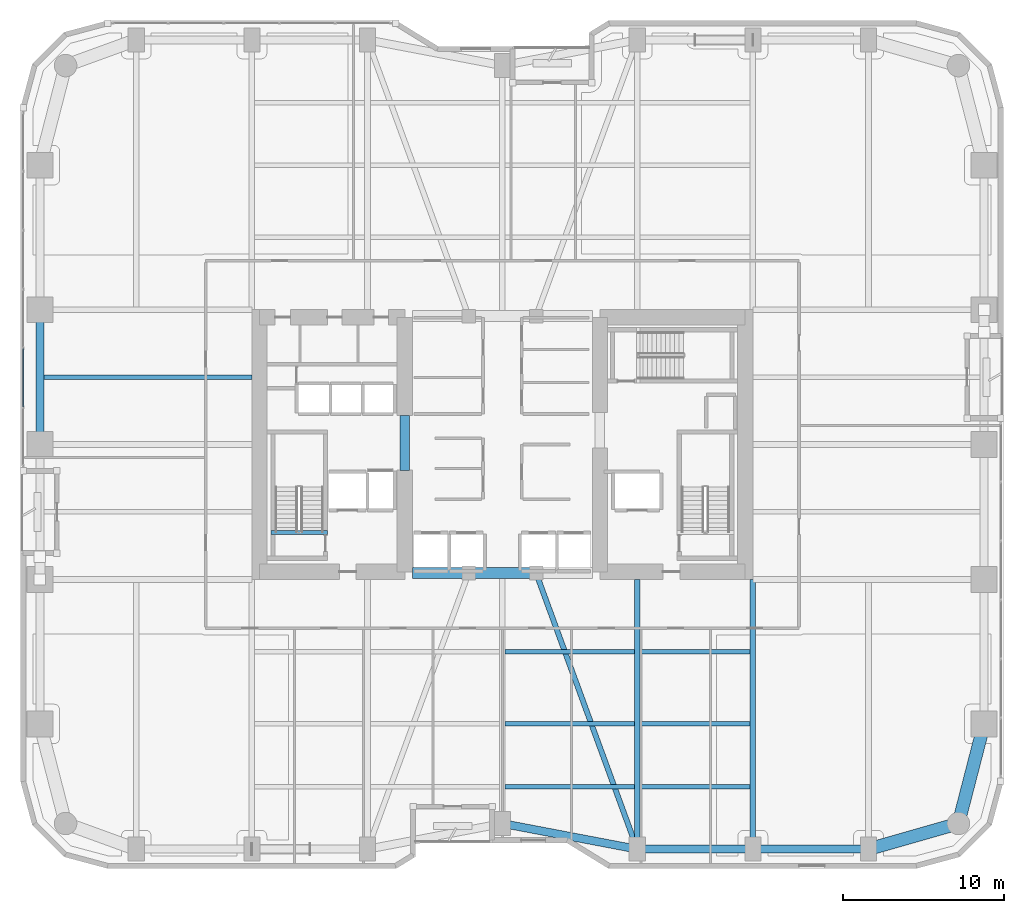
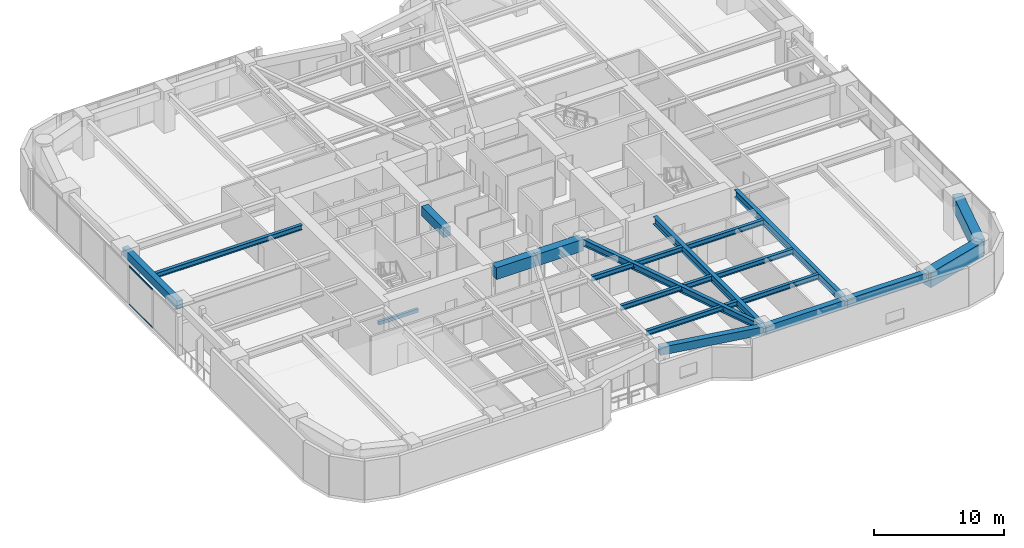
# One storey, part 3 of 28: 20 beams, 2 members, 1 element without a shape of its own.
"""IFC4 building model written with IfcOpenShell, lengths in metres."""

from ifc_helpers import new_model, si_unit, direction, frame, origin, origin_2d, place, context, subcontext, project, spatial, rectangle, hollow_rectangle, i_section, extrude, material, layer, layer_set, material_profile, profile_set, type_object, element, aggregate, save


model = new_model("IFC4")

# Units and contexts
model_context = context("Model", 3, precision=1e-05, world=origin(), true_north=direction((0.0, 1.0)))
body_context = subcontext(model_context, "Body", "Model", "MODEL_VIEW")
ifc_project = project(units=[si_unit("LENGTHUNIT", "METRE"), si_unit("AREAUNIT", "SQUARE_METRE"), si_unit("VOLUMEUNIT", "CUBIC_METRE"), si_unit("PLANEANGLEUNIT", "RADIAN"), si_unit("MASSUNIT", "GRAM", prefix="KILO")], contexts=[model_context])

# Site, building, storey
site_placement = place(None, origin())
site = spatial("IfcSite", under=ifc_project, at=site_placement, CompositionType="ELEMENT")
building_placement = place(site_placement, origin())
building = spatial("IfcBuilding", under=site, at=building_placement, Name="Kiyonajd Concourse Tower", CompositionType="ELEMENT")
storey_placement = place(building_placement, frame((0.0, 0.0, 56.699951171875)))
storey = spatial("IfcBuildingStorey", under=building, at=storey_placement, Name="L15", CompositionType="ELEMENT", Elevation=56.699951171875)

# Beams
ifc_material_1 = material(Name="Concrete C70/85", Category="concrete")
ifc_material_profile_1 = material_profile(ifc_material_1, rectangle(XDim=0.699951171875, YDim=1.10009765625, at=origin_2d()), Name="RCBM-700x1100")
ifc_profile_set_1 = profile_set([ifc_material_profile_1], Name="Concrete C70/85")
beam_type_1 = type_object("IfcBeamType", Name="BM-COUP-1100", PredefinedType="LINTEL", material=ifc_profile_set_1)
beam_1_placement = place(storey_placement, frame((42.39990234375, 28.0, 3.090087890625), z_axis=(1.0, 0.0, 0.0), x_axis=(0.0, 1.0, 0.0)))
element("IfcBeam", 1, at=beam_1_placement, inside=storey, type_object=beam_type_1, Name="L15 Core Coupling Beam S1", PredefinedType="LINTEL", context=body_context, shape_type="SweptSolid", body=[
    extrude(rectangle(XDim=0.699951171875, YDim=1.10009765625, at=origin_2d()), origin(), (0.0, 0.0, 1.0), 3.5),
])
beam_2_placement = place(storey_placement, frame((45.89990234375, 28.0, 3.090087890625), z_axis=(1.0, 0.0, 0.0), x_axis=(0.0, 1.0, 0.0)))
element("IfcBeam", 2, at=beam_2_placement, inside=storey, type_object=beam_type_1, Name="L15 Core Coupling Beam S2", PredefinedType="LINTEL", context=body_context, shape_type="SweptSolid", body=[
    extrude(rectangle(XDim=0.699951171875, YDim=1.10009765625, at=origin_2d()), origin(), (0.0, 0.0, 1.0), 4.2001953125),
])
ifc_material_2 = material(Name="Concrete C60/75", Category="concrete")
ifc_material_profile_2 = material_profile(ifc_material_2, rectangle(XDim=0.60009765625, YDim=0.89990234375, at=origin_2d()), Name="RCBM-600x900")
ifc_profile_set_2 = profile_set([ifc_material_profile_2], Name="Concrete C60/75")
beam_type_2 = type_object("IfcBeamType", Name="BM-COUP-900", PredefinedType="LINTEL", material=ifc_profile_set_2)
beam_3_placement = place(storey_placement, frame((41.925048828125, 34.39990234375, 3.090087890625), z_axis=(0.0, 1.0, 0.0), x_axis=(-1.0, 0.0, 0.0)))
element("IfcBeam", 3, at=beam_3_placement, inside=storey, type_object=beam_type_2, Name="L15 West Core Throat Coupling Lintel", PredefinedType="LINTEL", context=body_context, shape_type="SweptSolid", body=[
    extrude(rectangle(XDim=0.60009765625, YDim=0.89990234375, at=origin_2d()), origin(), (0.0, 0.0, 1.0), 3.400146484375),
])
ifc_material_3 = material(Name="Steel ASTM A992 Grade 50", Category="steel")
ifc_material_profile_3 = material_profile(ifc_material_3, i_section(OverallWidth=0.280029296875, OverallDepth=0.462890625, WebThickness=0.0107421875, FlangeThickness=0.017333984375, at=origin_2d()), Name="W460X113")
ifc_profile_set_3 = profile_set([ifc_material_profile_3], Name="Steel ASTM A992 Grade 50")
beam_type_3 = type_object("IfcBeamType", Name="BM-JST-460A", PredefinedType="JOIST", material=ifc_profile_set_3)
beam_4_placement = place(storey_placement, frame((48.177490234375, 14.699951171875, 3.408447265625), z_axis=(1.0, 0.0, 0.0), x_axis=(0.0, 1.0, 0.0)))
element("IfcBeam", 4, at=beam_4_placement, inside=storey, type_object=beam_type_3, Name="L15 Secondary Floor Joist", PredefinedType="JOIST", context=body_context, shape_type="SweptSolid", body=[
    extrude(i_section(OverallWidth=0.280029296875, OverallDepth=0.462890625, WebThickness=0.0107421875, FlangeThickness=0.017333984375, at=origin_2d()), origin(), (0.0, 0.0, 1.0), 8.044921875),
])
beam_5_placement = place(storey_placement, frame((56.577392578125, 14.699951171875, 3.408447265625), z_axis=(1.0, 0.0, 0.0), x_axis=(0.0, 1.0, 0.0)))
element("IfcBeam", 5, at=beam_5_placement, inside=storey, type_object=beam_type_3, Name="L15 Secondary Floor Joist", PredefinedType="JOIST", context=body_context, shape_type="SweptSolid", body=[
    extrude(i_section(OverallWidth=0.280029296875, OverallDepth=0.462890625, WebThickness=0.0107421875, FlangeThickness=0.017333984375, at=origin_2d()), origin(), (0.0, 0.0, 1.0), 6.84521484375),
])
beam_6_placement = place(storey_placement, frame((48.177490234375, 18.60009765625, 3.408447265625), z_axis=(1.0, 0.0, 0.0), x_axis=(0.0, 1.0, 0.0)))
element("IfcBeam", 6, at=beam_6_placement, inside=storey, type_object=beam_type_3, Name="L15 Secondary Floor Joist", PredefinedType="JOIST", context=body_context, shape_type="SweptSolid", body=[
    extrude(i_section(OverallWidth=0.280029296875, OverallDepth=0.462890625, WebThickness=0.0107421875, FlangeThickness=0.017333984375, at=origin_2d()), origin(), (0.0, 0.0, 1.0), 8.044921875),
])
beam_7_placement = place(storey_placement, frame((56.577392578125, 18.60009765625, 3.408447265625), z_axis=(1.0, 0.0, 0.0), x_axis=(0.0, 1.0, 0.0)))
element("IfcBeam", 7, at=beam_7_placement, inside=storey, type_object=beam_type_3, Name="L15 Secondary Floor Joist", PredefinedType="JOIST", context=body_context, shape_type="SweptSolid", body=[
    extrude(i_section(OverallWidth=0.280029296875, OverallDepth=0.462890625, WebThickness=0.0107421875, FlangeThickness=0.017333984375, at=origin_2d()), origin(), (0.0, 0.0, 1.0), 6.84521484375),
])
beam_8_placement = place(storey_placement, frame((48.177490234375, 23.10009765625, 3.408447265625), z_axis=(1.0, 0.0, 0.0), x_axis=(0.0, 1.0, 0.0)))
element("IfcBeam", 8, at=beam_8_placement, inside=storey, type_object=beam_type_3, Name="L15 Secondary Floor Joist", PredefinedType="JOIST", context=body_context, shape_type="SweptSolid", body=[
    extrude(i_section(OverallWidth=0.280029296875, OverallDepth=0.462890625, WebThickness=0.0107421875, FlangeThickness=0.017333984375, at=origin_2d()), origin(), (0.0, 0.0, 1.0), 8.044921875),
])
beam_9_placement = place(storey_placement, frame((56.577392578125, 23.10009765625, 3.408447265625), z_axis=(1.0, 0.0, 0.0), x_axis=(0.0, 1.0, 0.0)))
element("IfcBeam", 9, at=beam_9_placement, inside=storey, type_object=beam_type_3, Name="L15 Secondary Floor Joist", PredefinedType="JOIST", context=body_context, shape_type="SweptSolid", body=[
    extrude(i_section(OverallWidth=0.280029296875, OverallDepth=0.462890625, WebThickness=0.0107421875, FlangeThickness=0.017333984375, at=origin_2d()), origin(), (0.0, 0.0, 1.0), 6.84521484375),
])
beam_10_placement = place(storey_placement, frame((19.449951171875, 40.199951171875, 3.408447265625), z_axis=(1.0, 0.0, 0.0), x_axis=(0.0, 1.0, 0.0)))
element("IfcBeam", 10, at=beam_10_placement, inside=storey, type_object=beam_type_3, Name="L15 West Secondary Floor Joist", PredefinedType="JOIST", context=body_context, shape_type="SweptSolid", body=[
    extrude(i_section(OverallWidth=0.280029296875, OverallDepth=0.462890625, WebThickness=0.0107421875, FlangeThickness=0.017333984375, at=origin_2d()), origin(), (0.0, 0.0, 1.0), 12.949951171875),
])
ifc_material_4 = material(Name="Concrete C50/60", Category="concrete")
ifc_material_profile_4 = material_profile(ifc_material_4, rectangle(XDim=0.239990234375, YDim=0.320068359375, at=origin_2d()), Name="RCBM-240x320")
ifc_profile_set_4 = profile_set([ifc_material_profile_4], Name="Concrete C50/60")
beam_type_4 = type_object("IfcBeamType", Name="BM-LNT-250", PredefinedType="LINTEL", material=ifc_profile_set_4)
beam_11_placement = place(storey_placement, frame((33.590087890625, 30.530029296875, -0.159912109375), z_axis=(1.0, 0.0, 0.0), x_axis=(0.0, 1.0, 0.0)))
element("IfcBeam", 11, at=beam_11_placement, inside=storey, type_object=beam_type_4, Name="L15 Stair ST1 Threshold Support Beam", PredefinedType="LINTEL", context=body_context, shape_type="SweptSolid", body=[
    extrude(rectangle(XDim=0.239990234375, YDim=0.320068359375, at=origin_2d()), origin(), (0.0, 0.0, 1.0), 3.52001953125),
])
ifc_material_5 = material(Name="Precast concrete C50/60", Category="concrete")
ifc_material_profile_5 = material_profile(ifc_material_5, rectangle(XDim=0.5, YDim=0.75, at=origin_2d()), Name="RCBM-500x750")
ifc_profile_set_5 = profile_set([ifc_material_profile_5], Name="Precast concrete C50/60")
beam_type_5 = type_object("IfcBeamType", Name="BM-SPAN-RC", PredefinedType="SPANDREL", material=ifc_profile_set_5)
beam_12_placement = place(storey_placement, frame((48.0, 12.39990234375, 3.26513671875), z_axis=(0.982341315253, -0.187097675953, 0.0), x_axis=(0.187097675953, 0.982341315253, 0.0)))
element("IfcBeam", 12, at=beam_12_placement, inside=storey, type_object=beam_type_5, Name="L15 Perimeter Bundled Tube Spandrel", PredefinedType="SPANDREL", context=body_context, shape_type="SweptSolid", body=[
    extrude(rectangle(XDim=0.5, YDim=0.75, at=origin_2d()), origin(), (0.0, 0.0, 1.0), 8.55078125),
])
beam_13_placement = place(storey_placement, frame((56.39990234375, 10.800048828125, 3.26513671875), z_axis=(1.0, 0.0, 0.0), x_axis=(0.0, 1.0, 0.0)))
element("IfcBeam", 13, at=beam_13_placement, inside=storey, type_object=beam_type_5, Name="L15 Perimeter Bundled Tube Spandrel", PredefinedType="SPANDREL", context=body_context, shape_type="SweptSolid", body=[
    extrude(rectangle(XDim=0.5, YDim=0.75, at=origin_2d()), origin(), (0.0, 0.0, 1.0), 7.2001953125),
])
beam_14_placement = place(storey_placement, frame((63.60009765625, 10.800048828125, 3.26513671875), z_axis=(1.0, 0.0, 0.0), x_axis=(0.0, 1.0, 0.0)))
element("IfcBeam", 14, at=beam_14_placement, inside=storey, type_object=beam_type_5, Name="L15 Perimeter Bundled Tube Spandrel", PredefinedType="SPANDREL", context=body_context, shape_type="SweptSolid", body=[
    extrude(rectangle(XDim=0.5, YDim=0.75, at=origin_2d()), origin(), (0.0, 0.0, 1.0), 7.199951171875),
])
beam_15_placement = place(storey_placement, frame((19.199951171875, 44.39990234375, 3.26513671875), z_axis=(0.0, -1.0, 0.0), x_axis=(1.0, 0.0, 0.0)))
element("IfcBeam", 15, at=beam_15_placement, inside=storey, type_object=beam_type_5, Name="L15 Perimeter Bundled Tube Spandrel", PredefinedType="SPANDREL", context=body_context, shape_type="SweptSolid", body=[
    extrude(rectangle(XDim=0.5, YDim=0.75, at=origin_2d()), origin(), (0.0, 0.0, 1.0), 8.39990234375),
])
ifc_material_profile_6 = material_profile(ifc_material_3, i_section(OverallWidth=0.326904296875, OverallDepth=0.6220703125, WebThickness=0.015380859375, FlangeThickness=0.0244140625, at=origin_2d()), Name="W610X195")
ifc_profile_set_6 = profile_set([ifc_material_profile_6], Name="Steel ASTM A992 Grade 50")
beam_type_6 = type_object("IfcBeamType", Name="BM-TWR-610A", PredefinedType="BEAM", material=ifc_profile_set_6)
beam_16_placement = place(storey_placement, frame((50.10009765625, 28.0, 3.3291015625), z_axis=(0.343925269715, -0.938997022813, 0.0), x_axis=(0.938997022813, 0.343925269715, 0.0)))
element("IfcBeam", 16, at=beam_16_placement, inside=storey, type_object=beam_type_6, Name="L15 Core Tie Girder", PredefinedType="BEAM", context=body_context, shape_type="SweptSolid", body=[
    extrude(i_section(OverallWidth=0.326904296875, OverallDepth=0.6220703125, WebThickness=0.015380859375, FlangeThickness=0.0244140625, at=origin_2d()), origin(), (0.0, 0.0, 1.0), 18.3173828125),
])
ifc_material_profile_7 = material_profile(ifc_material_3, i_section(OverallWidth=0.35498046875, OverallDepth=0.695068359375, WebThickness=0.015380859375, FlangeThickness=0.02490234375, at=origin_2d()), Name="W690X217")
ifc_profile_set_7 = profile_set([ifc_material_profile_7], Name="Steel ASTM A992 Grade 50")
beam_type_7 = type_object("IfcBeamType", Name="BM-TWR-690", PredefinedType="BEAM", material=ifc_profile_set_7)
for number, where, z_axis, x_axis, name in (
    (17, (56.39990234375, 10.800048828125, 3.29248046875), (0.0, 1.0, 0.0), (-1.0, 0.0, 0.0), "L15 South Lease Girder"),
    (18, (63.60009765625, 10.800048828125, 3.29248046875), (0.0, 1.0, 0.0), (-1.0, 0.0, 0.0), "L15 South Lease Girder"),
):
    element("IfcBeam", number, at=place(storey_placement, frame(where, z_axis=z_axis, x_axis=x_axis)), inside=storey, type_object=beam_type_7, Name=name, PredefinedType="BEAM", context=body_context, shape_type="SweptSolid", body=[
        extrude(i_section(OverallWidth=0.35498046875, OverallDepth=0.695068359375, WebThickness=0.015380859375, FlangeThickness=0.02490234375, at=origin_2d()), origin(), (0.0, 0.0, 1.0), 16.800048828125),
    ])
ifc_material_profile_8 = material_profile(ifc_material_2, rectangle(XDim=0.800048828125, YDim=1.39990234375, at=origin_2d()), Name="RCBM-800x1400")
ifc_profile_set_8 = profile_set([ifc_material_profile_8], Name="Concrete C60/75")
beam_type_8 = type_object("IfcBeamType", Name="BM-XFER-RC", PredefinedType="BEAM", material=ifc_profile_set_8)
beam_17_placement = place(storey_placement, frame((70.800048828125, 10.800048828125, 2.93994140625), z_axis=(0.961528693205, 0.274704517878, 0.0), x_axis=(-0.274704517878, 0.961528693205, 0.0)))
element("IfcBeam", 19, at=beam_17_placement, inside=storey, type_object=beam_type_8, Name="L15 Perimeter Bundled Tube Spandrel", PredefinedType="BEAM", context=body_context, shape_type="SweptSolid", body=[
    extrude(rectangle(XDim=0.800048828125, YDim=1.39990234375, at=origin_2d()), origin(), (0.0, 0.0, 1.0), 5.823974609375),
])
beam_18_placement = place(storey_placement, frame((76.39990234375, 12.39990234375, 2.93994140625), z_axis=(0.249884937687, 0.968275538221, 0.0), x_axis=(-0.968275538221, 0.249884937687, 0.0)))
element("IfcBeam", 20, at=beam_18_placement, inside=storey, type_object=beam_type_8, Name="L15 Perimeter Bundled Tube Spandrel", PredefinedType="BEAM", context=body_context, shape_type="SweptSolid", body=[
    extrude(rectangle(XDim=0.800048828125, YDim=1.39990234375, at=origin_2d()), origin(), (0.0, 0.0, 1.0), 6.4033203125),
])

# Curtain wall, members
ifc_material_6 = material(Name="Thermally Broken Anodised Aluminium", Category="aluminium")
ifc_layer = layer(ifc_material_6, 0.179931640625)
ifc_layer_set = layer_set([ifc_layer], Name="Thermally Broken Anodised Aluminium")
curtain_wall_type = type_object("IfcCurtainWallType", Name="CW-SYS-02", PredefinedType="NOTDEFINED", material=ifc_layer_set)
curtain_wall_placement = place(storey_placement, origin())
curtain_wall = element("IfcCurtainWall", 21, at=curtain_wall_placement, inside=storey, type_object=curtain_wall_type, Name="L15 Unitised Curtain Wall CW2", PredefinedType="NOTDEFINED")
ifc_material_profile_9 = material_profile(ifc_material_6, hollow_rectangle(XDim=0.06494140625, YDim=0.139892578125, WallThickness=0.00390625, at=origin_2d()), Name="TRAN-65x140")
ifc_profile_set_9 = profile_set([ifc_material_profile_9], Name="Thermally Broken Anodised Aluminium")
member_type = type_object("IfcMemberType", Name="MB-CW-TRAN1", PredefinedType="USERDEFINED", material=ifc_profile_set_9)
member_1_placement = place(storey_placement, frame((18.159912109375, 38.355712890625, 0.032470703125), z_axis=(0.0, 1.0, 0.0), x_axis=(-1.0, 0.0, 0.0)))
member_1 = element("IfcMember", 22, at=member_1_placement, type_object=member_type, Name="CW2 transom 2.1", ObjectType="TRANSOM", PredefinedType="USERDEFINED", context=body_context, shape_type="SweptSolid", body=[
    extrude(hollow_rectangle(XDim=0.06494140625, YDim=0.139892578125, WallThickness=0.00390625, at=origin_2d()), origin(), (0.0, 0.0, 1.0), 3.608154296875),
])
member_2_placement = place(storey_placement, frame((18.159912109375, 38.355712890625, 3.607666015625), z_axis=(0.0, 1.0, 0.0), x_axis=(-1.0, 0.0, 0.0)))
member_2 = element("IfcMember", 23, at=member_2_placement, type_object=member_type, Name="CW2 transom 2.2", ObjectType="TRANSOM", PredefinedType="USERDEFINED", context=body_context, shape_type="SweptSolid", body=[
    extrude(hollow_rectangle(XDim=0.06494140625, YDim=0.139892578125, WallThickness=0.00390625, at=origin_2d()), origin(), (0.0, 0.0, 1.0), 3.608154296875),
])
aggregate(curtain_wall, [member_1, member_2])

save(model, "model.ifc")
